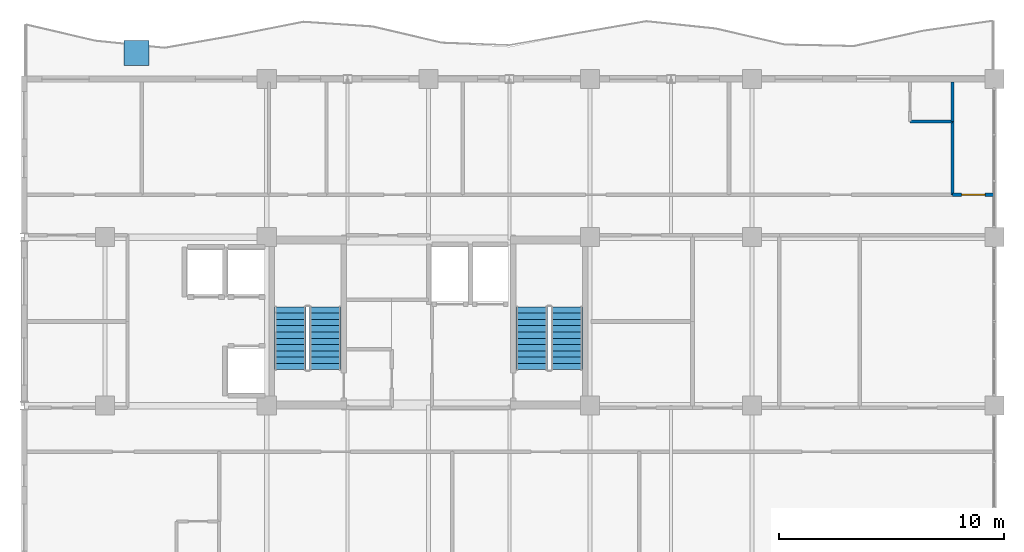
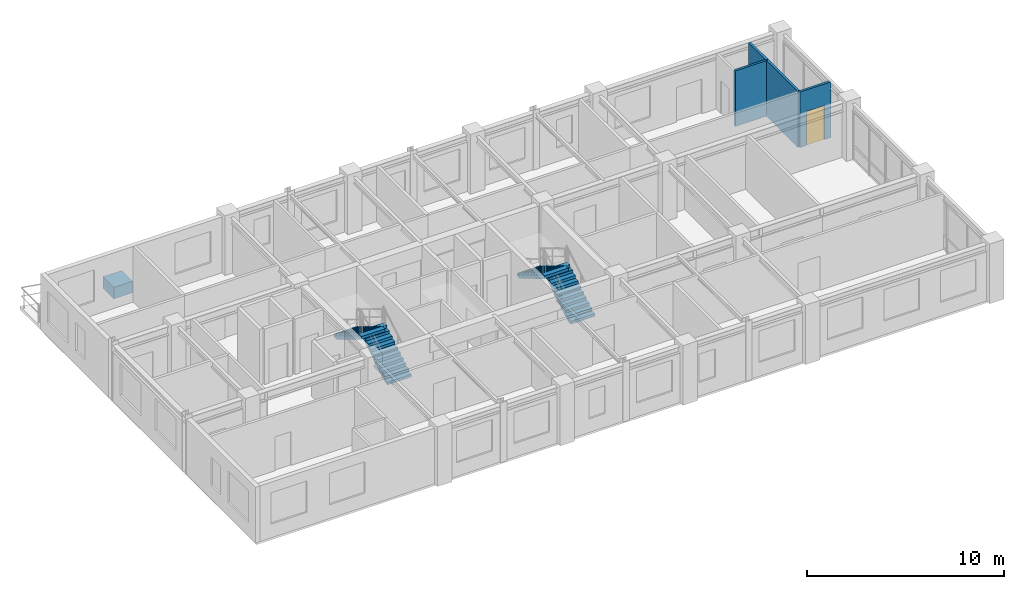
# One storey, part 9 of 11: 4 stair flights, 4 walls, 1 discrete accessory, 1 door, 1 opening, 2 elements without a shape of their own.
"""IFC4 building model written with IfcOpenShell, lengths in metres."""

from ifc_helpers import new_model, si_unit, direction, frame, frame_2d, origin, origin_2d, place, context, subcontext, project, spatial, polyline, rectangle, outline, extrude, source, transform, mapped, material, layer, layer_set, type_object, element, fill, aggregate, save


model = new_model("IFC4")

# Units and contexts
model_context = context("Model", 3, precision=1e-05, world=origin(), true_north=direction((0.0, 1.0)))
body_context = subcontext(model_context, "Body", "Model", "MODEL_VIEW")
ifc_project = project(units=[si_unit("LENGTHUNIT", "METRE"), si_unit("AREAUNIT", "SQUARE_METRE"), si_unit("VOLUMEUNIT", "CUBIC_METRE"), si_unit("PLANEANGLEUNIT", "RADIAN"), si_unit("MASSUNIT", "GRAM", prefix="KILO")], contexts=[model_context])

# Site, building, storey
site_placement = place(None, origin())
site = spatial("IfcSite", under=ifc_project, at=site_placement, CompositionType="ELEMENT")
building_placement = place(site_placement, origin())
building = spatial("IfcBuilding", under=site, at=building_placement, Name="Kaliganga Portal Commons", CompositionType="ELEMENT")
storey_placement = place(building_placement, frame((0.0, 0.0, 261.0)))
storey = spatial("IfcBuildingStorey", under=building, at=storey_placement, Name="L67", CompositionType="ELEMENT", Elevation=261.0)

# Wall, opening, door
ifc_material_1 = material(Name="Fire-Rated Gypsum Board on Steel Stud", Category="steel")
ifc_layer_1 = layer(ifc_material_1, 0.14990234375)
ifc_layer_set_1 = layer_set([ifc_layer_1], Name="Fire-Rated Gypsum Board on Steel Stud")
wall_type_1 = type_object("IfcWallType", Name="WL-PART-CORR-150", PredefinedType="PARTITIONING", material=ifc_layer_set_1)
wall_1_placement = place(storey_placement, frame((44.93994140625, 38.0400390625, 0.0), z_axis=(0.0, 0.0, 1.0), x_axis=(1.0, 0.0, 0.0)))
wall_1 = element("IfcWall", 1, at=wall_1_placement, inside=storey, type_object=wall_type_1, Name="Interior Partition L67-038", PredefinedType="PARTITIONING", context=body_context, shape_type="SweptSolid", body=[
    extrude(rectangle(XDim=1.840087890625, YDim=0.14990234375, at=frame_2d((0.919921875, 0.0))), origin(), (0.0, 0.0, 1.0), 3.455078125),
])
opening_placement = place(wall_1_placement, frame((0.39501953125, 0.0, 0.0)))
opening = element("IfcOpeningElement", 2, at=opening_placement, cuts=wall_1, Name="Opening UD-02", PredefinedType="OPENING", context=body_context, shape_type="SweptSolid", body=[
    extrude(rectangle(XDim=1.050048828125, YDim=2.1201171875, at=frame_2d((0.52490234375, 1.06005859375))), frame((0.0, 0.0849609375, 0.0), z_axis=(0.0, -1.0, 0.0), x_axis=(1.0, 0.0, 0.0)), (0.0, 0.0, 1.0), 0.169921875),
])
ifc_material_2 = material(Name="Accessible Wide-Leaf Acoustic Fire Door", Category="wood")
door_type = type_object("IfcDoorType", Name="DR-ACC-1050", OperationType="NOTDEFINED", PredefinedType="DOOR", material=ifc_material_2)
door_placement = place(opening_placement, origin())
door = element("IfcDoor", 3, at=door_placement, inside=storey, type_object=door_type, Name="Interior Door L67-AN07", OperationType="SINGLE_SWING_LEFT", OverallHeight=2.1201171875, OverallWidth=1.050048828125, PredefinedType="DOOR", context=body_context, shape_type="SweptSolid", body=[
    extrude(rectangle(XDim=1.050048828125, YDim=2.1201171875, at=frame_2d((0.52490234375, 1.06005859375))), frame((0.0, 0.02490234375, 0.0), z_axis=(0.0, -1.0, 0.0), x_axis=(1.0, 0.0, 0.0)), (0.0, 0.0, 1.0), 0.050048828125),
])
fill(opening, door)

# Walls
ifc_material_3 = material(Name="Cement-Board Wet-Room Partition", Category="gypsum")
ifc_layer_2 = layer(ifc_material_3, 0.135009765625)
ifc_layer_set_2 = layer_set([ifc_layer_2], Name="Cement-Board Wet-Room Partition")
wall_type_2 = type_object("IfcWallType", Name="WL-PART-WET-135", PredefinedType="PARTITIONING", material=ifc_layer_set_2)
wall_2_placement = place(storey_placement, frame((44.93994140625, 41.300048828125, 0.0), z_axis=(0.0, 0.0, 1.0), x_axis=(0.0, 1.0, 0.0)))
element("IfcWall", 4, at=wall_2_placement, inside=storey, type_object=wall_type_2, Name="Interior Partition L67-002", PredefinedType="PARTITIONING", context=body_context, shape_type="SweptSolid", body=[
    extrude(rectangle(XDim=1.76806640625, YDim=0.135009765625, at=frame_2d((0.884033203125, 0.0))), origin(), (0.0, 0.0, 1.0), 3.455078125),
])
wall_3_placement = place(storey_placement, frame((43.0400390625, 41.300048828125, 0.0), z_axis=(0.0, 0.0, 1.0), x_axis=(1.0, 0.0, 0.0)))
element("IfcWall", 5, at=wall_3_placement, inside=storey, type_object=wall_type_2, Name="Interior Partition L67-004", PredefinedType="PARTITIONING", context=body_context, shape_type="SweptSolid", body=[
    extrude(rectangle(XDim=1.89990234375, YDim=0.135009765625, at=frame_2d((0.949951171875, 0.0))), origin(), (0.0, 0.0, 1.0), 3.455078125),
])
wall_4_placement = place(storey_placement, frame((44.93994140625, 38.0400390625, 0.0), z_axis=(0.0, 0.0, 1.0), x_axis=(0.0, 1.0, 0.0)))
element("IfcWall", 6, at=wall_4_placement, inside=storey, type_object=wall_type_2, Name="Interior Partition L67-055", PredefinedType="PARTITIONING", context=body_context, shape_type="SweptSolid", body=[
    extrude(rectangle(XDim=3.260009765625, YDim=0.135009765625, at=frame_2d((1.6298828125, 0.0))), origin(), (0.0, 0.0, 1.0), 3.455078125),
])

# Stair, stair flights
ifc_material_4 = material(Name="Concrete C40/50", Category="concrete")
stair_type = type_object("IfcStairType", Name="ST-CORE-DOGLEG", PredefinedType="HALF_TURN_STAIR", material=ifc_material_4)
stair_1_placement = place(storey_placement, origin())
stair_1 = element("IfcStair", 7, at=stair_1_placement, inside=storey, type_object=stair_type, Name="L67 Protected Exit Stair ST-A1", PredefinedType="HALF_TURN_STAIR")
stair_flight_type = type_object("IfcStairFlightType", Name="STF-RC-1400", PredefinedType="STRAIGHT", material=ifc_material_4)
stair_flight_1_placement = place(storey_placement, frame((17.0, 30.25, 0.0), z_axis=(0.0, 0.0, 1.0), x_axis=(0.0, 1.0, 0.0)))
stair_flight_1 = element("IfcStairFlight", 8, at=stair_flight_1_placement, type_object=stair_flight_type, Name="ST-A1 flight 1", NumberOfRisers=11, NumberOfTreads=10, PredefinedType="STRAIGHT", RiserHeight=0.168181818, TreadLength=0.28, context=body_context, shape_type="SweptSolid", body=[
    extrude(outline(polyline([(0.0, 0.0), (0.0, 0.168212890625), (0.280029296875, 0.168212890625), (0.280029296875, 0.33642578125), (0.56005859375, 0.33642578125), (0.56005859375, 0.504638671875), (0.840087890625, 0.504638671875), (0.840087890625, 0.672607421875), (1.1201171875, 0.672607421875), (1.1201171875, 0.8408203125), (1.39990234375, 0.8408203125), (1.39990234375, 1.009033203125), (1.679931640625, 1.009033203125), (1.679931640625, 1.17724609375), (1.9599609375, 1.17724609375), (1.9599609375, 1.345458984375), (2.239990234375, 1.345458984375), (2.239990234375, 1.513671875), (2.52001953125, 1.513671875), (2.52001953125, 1.681884765625), (2.800048828125, 1.681884765625), (2.800048828125, 1.85009765625), (2.800048828125, 1.5068359375), (0.291015625, 0.0), (0.0, 0.0)])), frame((0.0, 0.699951171875, 0.0), z_axis=(0.0, -1.0, 0.0), x_axis=(1.0, 0.0, 0.0)), (0.0, 0.0, 1.0), 1.39990234375),
])
stair_flight_2_placement = place(storey_placement, frame((15.449951171875, 33.050048828125, 1.85009765625), z_axis=(0.0, 0.0, 1.0), x_axis=(0.0, -1.0, 0.0)))
stair_flight_2 = element("IfcStairFlight", 9, at=stair_flight_2_placement, type_object=stair_flight_type, Name="ST-A1 flight 2", NumberOfRisers=11, NumberOfTreads=10, PredefinedType="STRAIGHT", RiserHeight=0.168181818, TreadLength=0.28, context=body_context, shape_type="SweptSolid", body=[
    extrude(outline(polyline([(0.0, 0.0), (0.0, 0.168212890625), (0.280029296875, 0.168212890625), (0.280029296875, 0.33642578125), (0.56005859375, 0.33642578125), (0.56005859375, 0.504638671875), (0.840087890625, 0.504638671875), (0.840087890625, 0.672607421875), (1.1201171875, 0.672607421875), (1.1201171875, 0.8408203125), (1.39990234375, 0.8408203125), (1.39990234375, 1.009033203125), (1.679931640625, 1.009033203125), (1.679931640625, 1.17724609375), (1.9599609375, 1.17724609375), (1.9599609375, 1.345458984375), (2.239990234375, 1.345458984375), (2.239990234375, 1.513671875), (2.52001953125, 1.513671875), (2.52001953125, 1.681884765625), (2.800048828125, 1.681884765625), (2.800048828125, 1.85009765625), (2.800048828125, 1.5068359375), (0.291015625, 0.0), (0.0, 0.0)])), frame((0.0, 0.699951171875, 0.0), z_axis=(0.0, -1.0, 0.0), x_axis=(1.0, 0.0, 0.0)), (0.0, 0.0, 1.0), 1.39990234375),
])
aggregate(stair_1, [stair_flight_1, stair_flight_2])

stair_2_placement = place(storey_placement, origin())
stair_2 = element("IfcStair", 10, at=stair_2_placement, inside=storey, type_object=stair_type, Name="L67 Protected Exit Stair ST-A2", PredefinedType="HALF_TURN_STAIR")
stair_flight_3_placement = place(storey_placement, frame((27.75, 30.25, 0.0), z_axis=(0.0, 0.0, 1.0), x_axis=(0.0, 1.0, 0.0)))
stair_flight_3 = element("IfcStairFlight", 11, at=stair_flight_3_placement, type_object=stair_flight_type, Name="ST-A2 flight 1", NumberOfRisers=11, NumberOfTreads=10, PredefinedType="STRAIGHT", RiserHeight=0.168181818, TreadLength=0.28, context=body_context, shape_type="SweptSolid", body=[
    extrude(outline(polyline([(0.0, 0.0), (0.0, 0.168212890625), (0.280029296875, 0.168212890625), (0.280029296875, 0.33642578125), (0.56005859375, 0.33642578125), (0.56005859375, 0.504638671875), (0.840087890625, 0.504638671875), (0.840087890625, 0.672607421875), (1.1201171875, 0.672607421875), (1.1201171875, 0.8408203125), (1.39990234375, 0.8408203125), (1.39990234375, 1.009033203125), (1.679931640625, 1.009033203125), (1.679931640625, 1.17724609375), (1.9599609375, 1.17724609375), (1.9599609375, 1.345458984375), (2.239990234375, 1.345458984375), (2.239990234375, 1.513671875), (2.52001953125, 1.513671875), (2.52001953125, 1.681884765625), (2.800048828125, 1.681884765625), (2.800048828125, 1.85009765625), (2.800048828125, 1.5068359375), (0.291015625, 0.0), (0.0, 0.0)])), frame((0.0, 0.699951171875, 0.0), z_axis=(0.0, -1.0, 0.0), x_axis=(1.0, 0.0, 0.0)), (0.0, 0.0, 1.0), 1.39990234375),
])
stair_flight_4_placement = place(storey_placement, frame((26.199951171875, 33.050048828125, 1.85009765625), z_axis=(0.0, 0.0, 1.0), x_axis=(0.0, -1.0, 0.0)))
stair_flight_4 = element("IfcStairFlight", 12, at=stair_flight_4_placement, type_object=stair_flight_type, Name="ST-A2 flight 2", NumberOfRisers=11, NumberOfTreads=10, PredefinedType="STRAIGHT", RiserHeight=0.168181818, TreadLength=0.28, context=body_context, shape_type="SweptSolid", body=[
    extrude(outline(polyline([(0.0, 0.0), (0.0, 0.168212890625), (0.280029296875, 0.168212890625), (0.280029296875, 0.33642578125), (0.56005859375, 0.33642578125), (0.56005859375, 0.504638671875), (0.840087890625, 0.504638671875), (0.840087890625, 0.672607421875), (1.1201171875, 0.672607421875), (1.1201171875, 0.8408203125), (1.39990234375, 0.8408203125), (1.39990234375, 1.009033203125), (1.679931640625, 1.009033203125), (1.679931640625, 1.17724609375), (1.9599609375, 1.17724609375), (1.9599609375, 1.345458984375), (2.239990234375, 1.345458984375), (2.239990234375, 1.513671875), (2.52001953125, 1.513671875), (2.52001953125, 1.681884765625), (2.800048828125, 1.681884765625), (2.800048828125, 1.85009765625), (2.800048828125, 1.5068359375), (0.291015625, 0.0), (0.0, 0.0)])), frame((0.0, 0.699951171875, 0.0), z_axis=(0.0, -1.0, 0.0), x_axis=(1.0, 0.0, 0.0)), (0.0, 0.0, 1.0), 1.39990234375),
])
aggregate(stair_2, [stair_flight_3, stair_flight_4])

# Discrete accessory
ifc_material_5 = material(Name="Precast concrete C40/50", Category="concrete")
discrete_accessory_type = type_object("IfcDiscreteAccessoryType", Name="DAC-PLANTER-RC", PredefinedType="USERDEFINED", material=ifc_material_5)
shared_shape = source(origin(), body_context, "Body", "SweptSolid", [
    extrude(rectangle(XDim=1.10009765625, YDim=1.10009765625, at=origin_2d()), origin(), (0.0, 0.0, 1.0), 0.719970703125),
])
discrete_accessory_placement = place(storey_placement, frame((8.60009765625, 44.35009765625, 0.0), z_axis=(0.0, 0.0, 1.0), x_axis=(1.0, 0.0, 0.0)))
element("IfcDiscreteAccessory", 13, at=discrete_accessory_placement, inside=storey, type_object=discrete_accessory_type, Name="Structural Tree Planter L67 balc_north", ObjectType="PLANTER", PredefinedType="USERDEFINED", context=body_context, shape_type="MappedRepresentation", body=[
    mapped(shared_shape, transform((0.0, 0.0, 0.0), x_axis=(1.0, 0.0, 0.0), y_axis=(0.0, 1.0, 0.0), z_axis=(0.0, 0.0, 1.0), scale=1.0)),
])

save(model, "model.ifc")
